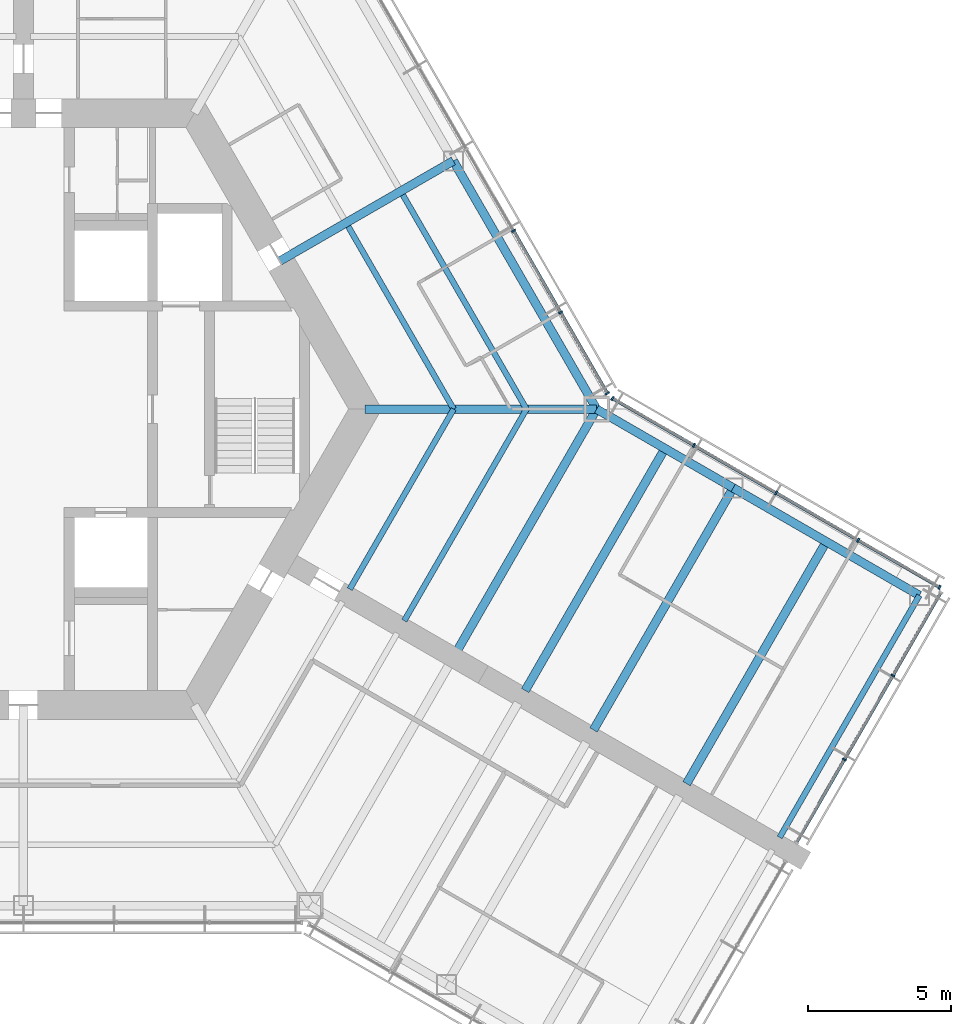
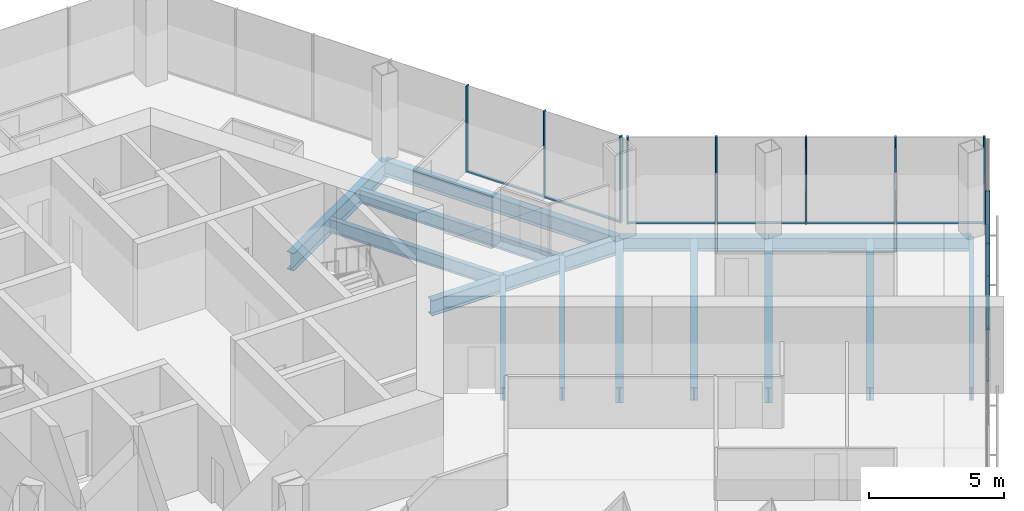
# One storey, part 6 of 18: 19 members, 14 beams, 3 elements without a shape of their own.
"""IFC4 building model written with IfcOpenShell, lengths in metres."""

from ifc_helpers import new_model, si_unit, direction, frame, origin, origin_2d, place, context, subcontext, project, spatial, rectangle, i_section, extrude, material, material_profile, profile_set, type_object, element, aggregate, save


model = new_model("IFC4")

# Units and contexts
model_context = context("Model", 3, precision=1e-05, world=origin(), true_north=direction((0.0, 1.0)))
body_context = subcontext(model_context, "Body", "Model", "MODEL_VIEW")
ifc_project = project(units=[si_unit("LENGTHUNIT", "METRE"), si_unit("AREAUNIT", "SQUARE_METRE"), si_unit("VOLUMEUNIT", "CUBIC_METRE"), si_unit("PLANEANGLEUNIT", "RADIAN"), si_unit("MASSUNIT", "GRAM", prefix="KILO")], contexts=[model_context])

# Site, building, storey
site_placement = place(None, origin())
site = spatial("IfcSite", under=ifc_project, at=site_placement, CompositionType="ELEMENT")
building_placement = place(site_placement, origin())
building = spatial("IfcBuilding", under=site, at=building_placement, Name="Kasaneha Research Tower", CompositionType="ELEMENT")
storey_placement = place(building_placement, frame((0.0, 0.0, 199.39990234375)))
storey = spatial("IfcBuildingStorey", under=building, at=storey_placement, Name="L50", CompositionType="ELEMENT", Elevation=199.39990234375)

# Beams
ifc_material_1 = material(Name="Steel SN490B", Category="steel")
ifc_material_profile_1 = material_profile(ifc_material_1, i_section(OverallWidth=0.199951171875, OverallDepth=0.60009765625, WebThickness=0.010986328125, FlangeThickness=0.01708984375, FilletRadius=0.012939453125, at=origin_2d()), Name="H-600x200x11x17")
ifc_profile_set_1 = profile_set([ifc_material_profile_1], Name="Steel SN490B")
beam_type_1 = type_object("IfcBeamType", Name="B1-3 secondary beam H-600x200x11x17", PredefinedType="JOIST", material=ifc_profile_set_1)
beam_1_placement = place(storey_placement, frame((15.010986328125, 0.0, -0.449951171875), z_axis=(-0.499994443168, 0.866028611999, 0.0), x_axis=(-0.866028611999, -0.499994443168, 0.0)))
element("IfcBeam", 1, at=beam_1_placement, inside=storey, type_object=beam_type_1, Name="Secondary beam RS030L1 L50", PredefinedType="JOIST", context=body_context, shape_type="SweptSolid", body=[
    extrude(i_section(OverallWidth=0.199951171875, OverallDepth=0.60009765625, WebThickness=0.010986328125, FlangeThickness=0.01708984375, FilletRadius=0.012939453125, at=origin_2d()), origin(), (0.0, 0.0, 1.0), 7.35546875),
])
beam_2_placement = place(storey_placement, frame((17.551513671875, 0.0, -0.449951171875), z_axis=(-0.5000050195, 0.866022505755, 0.0), x_axis=(-0.866022505755, -0.5000050195, 0.0)))
element("IfcBeam", 2, at=beam_2_placement, inside=storey, type_object=beam_type_1, Name="Secondary beam RS030L2 L50", PredefinedType="JOIST", context=body_context, shape_type="SweptSolid", body=[
    extrude(i_section(OverallWidth=0.199951171875, OverallDepth=0.60009765625, WebThickness=0.010986328125, FlangeThickness=0.01708984375, FilletRadius=0.012939453125, at=origin_2d()), origin(), (0.0, 0.0, 1.0), 8.6259765625),
])
beam_3_placement = place(storey_placement, frame((15.010986328125, 0.0, -0.449951171875), z_axis=(-0.499993340521, -0.866029248602, 0.0), x_axis=(0.866029248602, -0.499993340521, 0.0)))
element("IfcBeam", 3, at=beam_3_placement, inside=storey, type_object=beam_type_1, Name="Secondary beam RS330R1 L50", PredefinedType="JOIST", context=body_context, shape_type="SweptSolid", body=[
    extrude(i_section(OverallWidth=0.199951171875, OverallDepth=0.60009765625, WebThickness=0.010986328125, FlangeThickness=0.01708984375, FilletRadius=0.012939453125, at=origin_2d()), origin(), (0.0, 0.0, 1.0), 7.25537109375),
])
beam_4_placement = place(storey_placement, frame((17.551513671875, 0.0, -0.449951171875), z_axis=(-0.500004205306, -0.866022975836, 0.0), x_axis=(0.866022975836, -0.500004205306, 0.0)))
element("IfcBeam", 4, at=beam_4_placement, inside=storey, type_object=beam_type_1, Name="Secondary beam RS330R2 L50", PredefinedType="JOIST", context=body_context, shape_type="SweptSolid", body=[
    extrude(i_section(OverallWidth=0.199951171875, OverallDepth=0.60009765625, WebThickness=0.010986328125, FlangeThickness=0.01708984375, FilletRadius=0.012939453125, at=origin_2d()), origin(), (0.0, 0.0, 1.0), 8.52587890625),
])
ifc_material_2 = material(Name="Steel SN490B", Category="steel")
ifc_material_profile_2 = material_profile(ifc_material_2, i_section(OverallWidth=0.300048828125, OverallDepth=0.58203125, WebThickness=0.011962890625, FlangeThickness=0.01708984375, FilletRadius=0.012939453125, at=origin_2d()), Name="H-582x300x12x17")
ifc_profile_set_2 = profile_set([ifc_material_profile_2], Name="Steel SN490B")
beam_type_2 = type_object("IfcBeamType", Name="B2-3 secondary beam H-582x300x12x17", PredefinedType="JOIST", material=ifc_profile_set_2)
for number, where, z_axis, x_axis, name in (
    (5, (22.381591796875, -1.375, -0.44091796875), (-0.499995560238, -0.866027967067, 0.0), (0.866027967067, -0.499995560238, 0.0), "Secondary beam WBCN1 L50"),
    (6, (28.0107421875, -4.625, -0.44091796875), (-0.499995560238, -0.866027967067, 0.0), (0.866027967067, -0.499995560238, 0.0), "Secondary beam WBCN2 L50"),
):
    element("IfcBeam", number, at=place(storey_placement, frame(where, z_axis=z_axis, x_axis=x_axis)), inside=storey, type_object=beam_type_2, Name=name, PredefinedType="JOIST", context=body_context, shape_type="SweptSolid", body=[
        extrude(i_section(OverallWidth=0.300048828125, OverallDepth=0.58203125, WebThickness=0.011962890625, FlangeThickness=0.01708984375, FilletRadius=0.012939453125, at=origin_2d()), origin(), (0.0, 0.0, 1.0), 9.75),
    ])

# Curtain wall, members
ifc_material_3 = material(Name="Glass and aluminium", Category="aluminium")
curtain_wall_type = type_object("IfcCurtainWallType", Name="Mid-rise office curtain wall", PredefinedType="USERDEFINED", material=ifc_material_3)
curtain_wall_1_placement = place(storey_placement, origin())
curtain_wall_1 = element("IfcCurtainWall", 7, at=curtain_wall_1_placement, inside=storey, type_object=curtain_wall_type, Name="CW-O2 L50 run 04a", ObjectType="UNITISED CURTAIN WALL", PredefinedType="USERDEFINED")
ifc_material_4 = material(Name="Aluminium 6063-T6", Category="aluminium")
ifc_material_profile_3 = material_profile(ifc_material_4, rectangle(XDim=0.06005859375, YDim=0.14990234375, at=origin_2d()), Name="CW-O2 mullion 60x150")
ifc_profile_set_3 = profile_set([ifc_material_profile_3], Name="Aluminium 6063-T6")
member_type_1 = type_object("IfcMemberType", Name="CW-O2 mullion", PredefinedType="MULLION", material=ifc_profile_set_3)
member_1_placement = place(storey_placement, frame((28.64453125, -12.22705078125, 0.0), z_axis=(0.0, 0.0, 1.0), x_axis=(0.500000011442, 0.866025397178, 0.0)))
member_1 = element("IfcMember", 8, at=member_1_placement, type_object=member_type_1, Name="CW-O2 mullion 2", PredefinedType="MULLION", context=body_context, shape_type="SweptSolid", body=[
    extrude(rectangle(XDim=0.06005859375, YDim=0.14990234375, at=origin_2d()), origin(), (0.0, 0.0, 1.0), 3.900146484375),
])
member_2_placement = place(storey_placement, frame((30.336181640625, -9.297119140625, 0.0), z_axis=(0.0, 0.0, 1.0), x_axis=(0.500000011442, 0.866025397178, 0.0)))
member_2 = element("IfcMember", 9, at=member_2_placement, type_object=member_type_1, Name="CW-O2 mullion 3", PredefinedType="MULLION", context=body_context, shape_type="SweptSolid", body=[
    extrude(rectangle(XDim=0.06005859375, YDim=0.14990234375, at=origin_2d()), origin(), (0.0, 0.0, 1.0), 3.900146484375),
])

curtain_wall_2_placement = place(storey_placement, origin())
curtain_wall_2 = element("IfcCurtainWall", 10, at=curtain_wall_2_placement, inside=storey, type_object=curtain_wall_type, Name="CW-O2 L50 run 05a", ObjectType="UNITISED CURTAIN WALL", PredefinedType="USERDEFINED")
member_3_placement = place(storey_placement, frame((31.96533203125, -6.21533203125, 0.0), z_axis=(0.0, 0.0, 1.0), x_axis=(-0.866025411464, 0.499999986699, 0.0)))
member_3 = element("IfcMember", 11, at=member_3_placement, type_object=member_type_1, Name="CW-O2 mullion 1", PredefinedType="MULLION", context=body_context, shape_type="SweptSolid", body=[
    extrude(rectangle(XDim=0.06005859375, YDim=0.14990234375, at=origin_2d()), origin(), (0.0, 0.0, 1.0), 3.900146484375),
])
member_4_placement = place(storey_placement, frame((29.125, -4.575439453125, 0.0), z_axis=(0.0, 0.0, 1.0), x_axis=(-0.866025411464, 0.499999986699, 0.0)))
member_4 = element("IfcMember", 12, at=member_4_placement, type_object=member_type_1, Name="CW-O2 mullion 2", PredefinedType="MULLION", context=body_context, shape_type="SweptSolid", body=[
    extrude(rectangle(XDim=0.06005859375, YDim=0.14990234375, at=origin_2d()), origin(), (0.0, 0.0, 1.0), 3.900146484375),
])
member_5_placement = place(storey_placement, frame((26.258544921875, -2.920654296875, 0.0), z_axis=(0.0, 0.0, 1.0), x_axis=(-0.866025411464, 0.499999986699, 0.0)))
member_5 = element("IfcMember", 13, at=member_5_placement, type_object=member_type_1, Name="CW-O2 mullion 3", PredefinedType="MULLION", context=body_context, shape_type="SweptSolid", body=[
    extrude(rectangle(XDim=0.06005859375, YDim=0.14990234375, at=origin_2d()), origin(), (0.0, 0.0, 1.0), 3.900146484375),
])
member_6_placement = place(storey_placement, frame((23.39208984375, -1.265625, 0.0), z_axis=(0.0, 0.0, 1.0), x_axis=(-0.866025411464, 0.499999986699, 0.0)))
member_6 = element("IfcMember", 14, at=member_6_placement, type_object=member_type_1, Name="CW-O2 mullion 4", PredefinedType="MULLION", context=body_context, shape_type="SweptSolid", body=[
    extrude(rectangle(XDim=0.06005859375, YDim=0.14990234375, at=origin_2d()), origin(), (0.0, 0.0, 1.0), 3.900146484375),
])
member_7_placement = place(storey_placement, frame((20.5517578125, 0.374267578125, 0.0), z_axis=(0.0, 0.0, 1.0), x_axis=(-0.866025411464, 0.499999986699, 0.0)))
member_7 = element("IfcMember", 15, at=member_7_placement, type_object=member_type_1, Name="CW-O2 mullion 5", PredefinedType="MULLION", context=body_context, shape_type="SweptSolid", body=[
    extrude(rectangle(XDim=0.06005859375, YDim=0.14990234375, at=origin_2d()), origin(), (0.0, 0.0, 1.0), 3.900146484375),
])

curtain_wall_3_placement = place(storey_placement, origin())
curtain_wall_3 = element("IfcCurtainWall", 16, at=curtain_wall_3_placement, inside=storey, type_object=curtain_wall_type, Name="CW-O2 L50 run 06a", ObjectType="UNITISED CURTAIN WALL", PredefinedType="USERDEFINED")
member_8_placement = place(storey_placement, frame((20.374267578125, 0.5517578125, 0.0), z_axis=(0.0, 0.0, 1.0), x_axis=(-0.499999979232, 0.866025415775, 0.0)))
member_8 = element("IfcMember", 17, at=member_8_placement, type_object=member_type_1, Name="CW-O2 mullion 1", PredefinedType="MULLION", context=body_context, shape_type="SweptSolid", body=[
    extrude(rectangle(XDim=0.06005859375, YDim=0.14990234375, at=origin_2d()), origin(), (0.0, 0.0, 1.0), 3.900146484375),
])
member_9_placement = place(storey_placement, frame((18.7451171875, 3.373291015625, 0.0), z_axis=(0.0, 0.0, 1.0), x_axis=(-0.499999979232, 0.866025415775, 0.0)))
member_9 = element("IfcMember", 18, at=member_9_placement, type_object=member_type_1, Name="CW-O2 mullion 2", PredefinedType="MULLION", context=body_context, shape_type="SweptSolid", body=[
    extrude(rectangle(XDim=0.06005859375, YDim=0.14990234375, at=origin_2d()), origin(), (0.0, 0.0, 1.0), 3.900146484375),
])
member_10_placement = place(storey_placement, frame((17.10107421875, 6.220947265625, 0.0), z_axis=(0.0, 0.0, 1.0), x_axis=(-0.499999979232, 0.866025415775, 0.0)))
member_10 = element("IfcMember", 19, at=member_10_placement, type_object=member_type_1, Name="CW-O2 mullion 3", PredefinedType="MULLION", context=body_context, shape_type="SweptSolid", body=[
    extrude(rectangle(XDim=0.06005859375, YDim=0.14990234375, at=origin_2d()), origin(), (0.0, 0.0, 1.0), 3.900146484375),
])

# Member
ifc_material_5 = material(Name="Aluminium 6063-T6", Category="aluminium")
ifc_material_profile_4 = material_profile(ifc_material_5, rectangle(XDim=0.110107421875, YDim=0.06005859375, at=origin_2d()), Name="CW-O2 transom 110x60")
ifc_profile_set_4 = profile_set([ifc_material_profile_4], Name="Aluminium 6063-T6")
member_type_2 = type_object("IfcMemberType", Name="CW-O2 transom", PredefinedType="USERDEFINED", material=ifc_profile_set_4)
member_11_placement = place(storey_placement, frame((26.98291015625, -15.105224609375, 0.030029296875), z_axis=(0.500021914551, 0.866012751043, 0.0), x_axis=(-0.866012751043, 0.500021914551, 0.0)))
member_11 = element("IfcMember", 20, at=member_11_placement, type_object=member_type_2, Name="CW-O2 transom 1", ObjectType="TRANSOM", PredefinedType="USERDEFINED", context=body_context, shape_type="SweptSolid", body=[
    extrude(rectangle(XDim=0.110107421875, YDim=0.06005859375, at=origin_2d()), origin(), (0.0, 0.0, 1.0), 3.293212890625),
])

member_12_placement = place(storey_placement, frame((28.65966796875, -12.201171875, 0.030029296875), z_axis=(0.499978935311, 0.866037565146, 0.0), x_axis=(-0.866037565146, 0.499978935311, 0.0)))
member_12 = element("IfcMember", 21, at=member_12_placement, type_object=member_type_2, Name="CW-O2 transom 2", ObjectType="TRANSOM", PredefinedType="USERDEFINED", context=body_context, shape_type="SweptSolid", body=[
    extrude(rectangle(XDim=0.110107421875, YDim=0.06005859375, at=origin_2d()), origin(), (0.0, 0.0, 1.0), 3.323486328125),
])

member_13_placement = place(storey_placement, frame((30.351318359375, -9.27099609375, 0.030029296875), z_axis=(0.500021914551, 0.866012751043, 0.0), x_axis=(-0.866012751043, 0.500021914551, 0.0)))
member_13 = element("IfcMember", 22, at=member_13_placement, type_object=member_type_2, Name="CW-O2 transom 3", ObjectType="TRANSOM", PredefinedType="USERDEFINED", context=body_context, shape_type="SweptSolid", body=[
    extrude(rectangle(XDim=0.110107421875, YDim=0.06005859375, at=origin_2d()), origin(), (0.0, 0.0, 1.0), 3.293212890625),
])

aggregate(curtain_wall_1, [member_1, member_2, member_11, member_12, member_13])

member_14_placement = place(storey_placement, frame((31.939453125, -6.200439453125, 0.030029296875), z_axis=(-0.866041647767, 0.499971863542, 0.0), x_axis=(-0.499971863542, -0.866041647767, 0.0)))
member_14 = element("IfcMember", 23, at=member_14_placement, type_object=member_type_2, Name="CW-O2 transom 1", ObjectType="TRANSOM", PredefinedType="USERDEFINED", context=body_context, shape_type="SweptSolid", body=[
    extrude(rectangle(XDim=0.110107421875, YDim=0.06005859375, at=origin_2d()), origin(), (0.0, 0.0, 1.0), 3.219970703125),
])

member_15_placement = place(storey_placement, frame((29.098876953125, -4.560546875, 0.030029296875), z_axis=(-0.86599666273, 0.500049777664, 0.0), x_axis=(-0.500049777664, -0.86599666273, 0.0)))
member_15 = element("IfcMember", 24, at=member_15_placement, type_object=member_type_2, Name="CW-O2 transom 2", ObjectType="TRANSOM", PredefinedType="USERDEFINED", context=body_context, shape_type="SweptSolid", body=[
    extrude(rectangle(XDim=0.110107421875, YDim=0.06005859375, at=origin_2d()), origin(), (0.0, 0.0, 1.0), 3.249755859375),
])

member_16_placement = place(storey_placement, frame((26.232666015625, -2.905517578125, 0.030029296875), z_axis=(-0.86604797581, 0.499960902066, 0.0), x_axis=(-0.499960902066, -0.86604797581, 0.0)))
member_16 = element("IfcMember", 25, at=member_16_placement, type_object=member_type_2, Name="CW-O2 transom 3", ObjectType="TRANSOM", PredefinedType="USERDEFINED", context=body_context, shape_type="SweptSolid", body=[
    extrude(rectangle(XDim=0.110107421875, YDim=0.06005859375, at=origin_2d()), origin(), (0.0, 0.0, 1.0), 3.249755859375),
])

member_17_placement = place(storey_placement, frame((23.3662109375, -1.250732421875, 0.030029296875), z_axis=(-0.866022692473, 0.500004696101, 0.0), x_axis=(-0.500004696101, -0.866022692473, 0.0)))
member_17 = element("IfcMember", 26, at=member_17_placement, type_object=member_type_2, Name="CW-O2 transom 4", ObjectType="TRANSOM", PredefinedType="USERDEFINED", context=body_context, shape_type="SweptSolid", body=[
    extrude(rectangle(XDim=0.110107421875, YDim=0.06005859375, at=origin_2d()), origin(), (0.0, 0.0, 1.0), 3.2197265625),
])

aggregate(curtain_wall_2, [member_3, member_4, member_5, member_6, member_7, member_14, member_15, member_16, member_17])

member_18_placement = place(storey_placement, frame((20.359130859375, 0.577880859375, 0.030029296875), z_axis=(-0.499973578025, 0.866040657981, 0.0), x_axis=(-0.866040657981, -0.499973578025, 0.0)))
member_18 = element("IfcMember", 27, at=member_18_placement, type_object=member_type_2, Name="CW-O2 transom 1", ObjectType="TRANSOM", PredefinedType="USERDEFINED", context=body_context, shape_type="SweptSolid", body=[
    extrude(rectangle(XDim=0.110107421875, YDim=0.06005859375, at=origin_2d()), origin(), (0.0, 0.0, 1.0), 3.197998046875),
])

member_19_placement = place(storey_placement, frame((18.730224609375, 3.3994140625, 0.030029296875), z_axis=(-0.499986503906, 0.866033195618, 0.0), x_axis=(-0.866033195618, -0.499986503906, 0.0)))
member_19 = element("IfcMember", 28, at=member_19_placement, type_object=member_type_2, Name="CW-O2 transom 2", ObjectType="TRANSOM", PredefinedType="USERDEFINED", context=body_context, shape_type="SweptSolid", body=[
    extrude(rectangle(XDim=0.110107421875, YDim=0.06005859375, at=origin_2d()), origin(), (0.0, 0.0, 1.0), 3.22802734375),
])

aggregate(curtain_wall_3, [member_8, member_9, member_10, member_18, member_19])

# Beams
ifc_material_6 = material(Name="Steel SN490B", Category="steel")
ifc_material_profile_5 = material_profile(ifc_material_6, i_section(OverallWidth=0.300048828125, OverallDepth=0.699951171875, WebThickness=0.012939453125, FlangeThickness=0.02392578125, FilletRadius=0.01806640625, at=origin_2d()), Name="H-700x300x13x24")
ifc_profile_set_5 = profile_set([ifc_material_profile_5], Name="Steel SN490B")
beam_type_3 = type_object("IfcBeamType", Name="G1-3 radial girder H-700x300x13x24", PredefinedType="BEAM", material=ifc_profile_set_5)
beam_5_placement = place(storey_placement, frame((11.92236328125, 0.0, -0.5), z_axis=(1.0, 0.0, 0.0), x_axis=(0.0, 1.0, 0.0)))
element("IfcBeam", 29, at=beam_5_placement, inside=storey, type_object=beam_type_3, Name="Radial girder RV000 L50", PredefinedType="BEAM", context=body_context, shape_type="SweptSolid", body=[
    extrude(i_section(OverallWidth=0.300048828125, OverallDepth=0.699951171875, WebThickness=0.012939453125, FlangeThickness=0.02392578125, FilletRadius=0.01806640625, at=origin_2d()), origin(), (0.0, 0.0, 1.0), 8.07763671875),
])
ifc_material_7 = material(Name="Steel SN490B", Category="steel")
ifc_material_profile_6 = material_profile(ifc_material_7, i_section(OverallWidth=0.300048828125, OverallDepth=0.800048828125, WebThickness=0.013916015625, FlangeThickness=0.02587890625, FilletRadius=0.01806640625, at=origin_2d()), Name="H-800x300x14x26")
ifc_profile_set_6 = profile_set([ifc_material_profile_6], Name="Steel SN490B")
beam_type_4 = type_object("IfcBeamType", Name="G2-3 radial girder H-800x300x14x26", PredefinedType="BEAM", material=ifc_profile_set_6)
beam_6_placement = place(storey_placement, frame((8.941650390625, 5.16259765625, -0.5498046875), z_axis=(0.866039713508, 0.499975214012, 0.0), x_axis=(-0.499975214012, 0.866039713508, 0.0)))
element("IfcBeam", 30, at=beam_6_placement, inside=storey, type_object=beam_type_4, Name="Radial girder RM030 L50", PredefinedType="BEAM", context=body_context, shape_type="SweptSolid", body=[
    extrude(i_section(OverallWidth=0.300048828125, OverallDepth=0.800048828125, WebThickness=0.013916015625, FlangeThickness=0.02587890625, FilletRadius=0.01806640625, at=origin_2d()), origin(), (0.0, 0.0, 1.0), 6.995361328125),
])
ifc_material_8 = material(Name="Steel SN490B", Category="steel")
ifc_material_profile_7 = material_profile(ifc_material_8, i_section(OverallWidth=0.300048828125, OverallDepth=0.69189453125, WebThickness=0.012939453125, FlangeThickness=0.02001953125, FilletRadius=0.01806640625, at=origin_2d()), Name="H-692x300x13x20")
ifc_profile_set_7 = profile_set([ifc_material_profile_7], Name="Steel SN490B")
beam_type_5 = type_object("IfcBeamType", Name="G3-3 plate edge girder H-692x300x13x20", PredefinedType="BEAM", material=ifc_profile_set_7)
beam_7_placement = place(storey_placement, frame((20.0, 0.0, -0.495849609375), z_axis=(-0.499995560238, -0.866027967067, 0.0), x_axis=(0.866027967067, -0.499995560238, 0.0)))
element("IfcBeam", 31, at=beam_7_placement, inside=storey, type_object=beam_type_5, Name="Plate edge girder PECN L50", PredefinedType="BEAM", context=body_context, shape_type="SweptSolid", body=[
    extrude(i_section(OverallWidth=0.300048828125, OverallDepth=0.69189453125, WebThickness=0.012939453125, FlangeThickness=0.02001953125, FilletRadius=0.01806640625, at=origin_2d()), origin(), (0.0, 0.0, 1.0), 9.75),
])
ifc_material_9 = material(Name="Steel SN490B", Category="steel")
ifc_material_profile_8 = material_profile(ifc_material_9, i_section(OverallWidth=0.300048828125, OverallDepth=0.699951171875, WebThickness=0.012939453125, FlangeThickness=0.02392578125, FilletRadius=0.01806640625, at=origin_2d()), Name="H-700x300x13x24")
ifc_profile_set_8 = profile_set([ifc_material_profile_8], Name="Steel SN490B")
beam_type_6 = type_object("IfcBeamType", Name="G4-3 wing girder H-700x300x13x24", PredefinedType="BEAM", material=ifc_profile_set_8)
beam_8_placement = place(storey_placement, frame((24.76318359375, -2.75, -0.5), z_axis=(-0.499995560238, -0.866027967067, 0.0), x_axis=(0.866027967067, -0.499995560238, 0.0)))
element("IfcBeam", 32, at=beam_8_placement, inside=storey, type_object=beam_type_6, Name="Wing girder WGCN L50", PredefinedType="BEAM", context=body_context, shape_type="SweptSolid", body=[
    extrude(i_section(OverallWidth=0.300048828125, OverallDepth=0.699951171875, WebThickness=0.012939453125, FlangeThickness=0.02392578125, FilletRadius=0.01806640625, at=origin_2d()), origin(), (0.0, 0.0, 1.0), 9.75),
])
ifc_material_10 = material(Name="Steel SN490B", Category="steel")
ifc_material_profile_9 = material_profile(ifc_material_10, i_section(OverallWidth=0.300048828125, OverallDepth=0.69189453125, WebThickness=0.012939453125, FlangeThickness=0.02001953125, FilletRadius=0.01806640625, at=origin_2d()), Name="H-692x300x13x20")
ifc_profile_set_9 = profile_set([ifc_material_profile_9], Name="Steel SN490B")
beam_type_7 = type_object("IfcBeamType", Name="SB1-3 spandrel beam H-692x300x13x20", PredefinedType="SPANDREL", material=ifc_profile_set_9)
beam_9_placement = place(storey_placement, frame((20.0, 0.0, -0.495849609375), z_axis=(-0.500004234368, 0.866022959057, 0.0), x_axis=(-0.866022959057, -0.500004234368, 0.0)))
element("IfcBeam", 33, at=beam_9_placement, inside=storey, type_object=beam_type_7, Name="Spandrel beam SR030L L50", PredefinedType="SPANDREL", context=body_context, shape_type="SweptSolid", body=[
    extrude(i_section(OverallWidth=0.300048828125, OverallDepth=0.69189453125, WebThickness=0.012939453125, FlangeThickness=0.02001953125, FilletRadius=0.01806640625, at=origin_2d()), origin(), (0.0, 0.0, 1.0), 10.0),
])
ifc_material_11 = material(Name="Steel SN490B", Category="steel")
ifc_material_profile_10 = material_profile(ifc_material_11, i_section(OverallWidth=0.300048828125, OverallDepth=0.58203125, WebThickness=0.011962890625, FlangeThickness=0.01708984375, FilletRadius=0.012939453125, at=origin_2d()), Name="H-582x300x12x17")
ifc_profile_set_10 = profile_set([ifc_material_profile_10], Name="Steel SN490B")
beam_type_8 = type_object("IfcBeamType", Name="SB2-3 spandrel beam H-582x300x12x17", PredefinedType="SPANDREL", material=ifc_profile_set_10)
beam_10_placement = place(storey_placement, frame((20.0, 0.0, -0.44091796875), z_axis=(0.866027397988, -0.499996545922, 0.0), x_axis=(0.499996545922, 0.866027397988, 0.0)))
element("IfcBeam", 34, at=beam_10_placement, inside=storey, type_object=beam_type_8, Name="Spandrel beam WSCN1 L50", PredefinedType="SPANDREL", context=body_context, shape_type="SweptSolid", body=[
    extrude(i_section(OverallWidth=0.300048828125, OverallDepth=0.58203125, WebThickness=0.011962890625, FlangeThickness=0.01708984375, FilletRadius=0.012939453125, at=origin_2d()), origin(), (0.0, 0.0, 1.0), 5.5),
])
beam_11_placement = place(storey_placement, frame((24.76318359375, -2.75, -0.44091796875), z_axis=(0.866022959057, -0.500004234368, 0.0), x_axis=(0.500004234368, 0.866022959057, 0.0)))
element("IfcBeam", 35, at=beam_11_placement, inside=storey, type_object=beam_type_8, Name="Spandrel beam WSCN2 L50", PredefinedType="SPANDREL", context=body_context, shape_type="SweptSolid", body=[
    extrude(i_section(OverallWidth=0.300048828125, OverallDepth=0.58203125, WebThickness=0.011962890625, FlangeThickness=0.01708984375, FilletRadius=0.012939453125, at=origin_2d()), origin(), (0.0, 0.0, 1.0), 7.5),
])
ifc_material_12 = material(Name="Steel SN490B", Category="steel")
ifc_material_profile_11 = material_profile(ifc_material_12, i_section(OverallWidth=0.199951171875, OverallDepth=0.60009765625, WebThickness=0.010986328125, FlangeThickness=0.01708984375, FilletRadius=0.012939453125, at=origin_2d()), Name="H-600x200x11x17")
ifc_profile_set_11 = profile_set([ifc_material_profile_11], Name="Steel SN490B")
beam_type_9 = type_object("IfcBeamType", Name="SB3-3 spandrel beam H-600x200x11x17", PredefinedType="SPANDREL", material=ifc_profile_set_11)
beam_12_placement = place(storey_placement, frame((31.25830078125, -6.5, -0.449951171875), z_axis=(-0.499995560238, -0.866027967067, 0.0), x_axis=(0.866027967067, -0.499995560238, 0.0)))
element("IfcBeam", 36, at=beam_12_placement, inside=storey, type_object=beam_type_9, Name="Spandrel beam WTCN L50", PredefinedType="SPANDREL", context=body_context, shape_type="SweptSolid", body=[
    extrude(i_section(OverallWidth=0.199951171875, OverallDepth=0.60009765625, WebThickness=0.010986328125, FlangeThickness=0.01708984375, FilletRadius=0.012939453125, at=origin_2d()), origin(), (0.0, 0.0, 1.0), 9.75),
])

save(model, "model.ifc")
